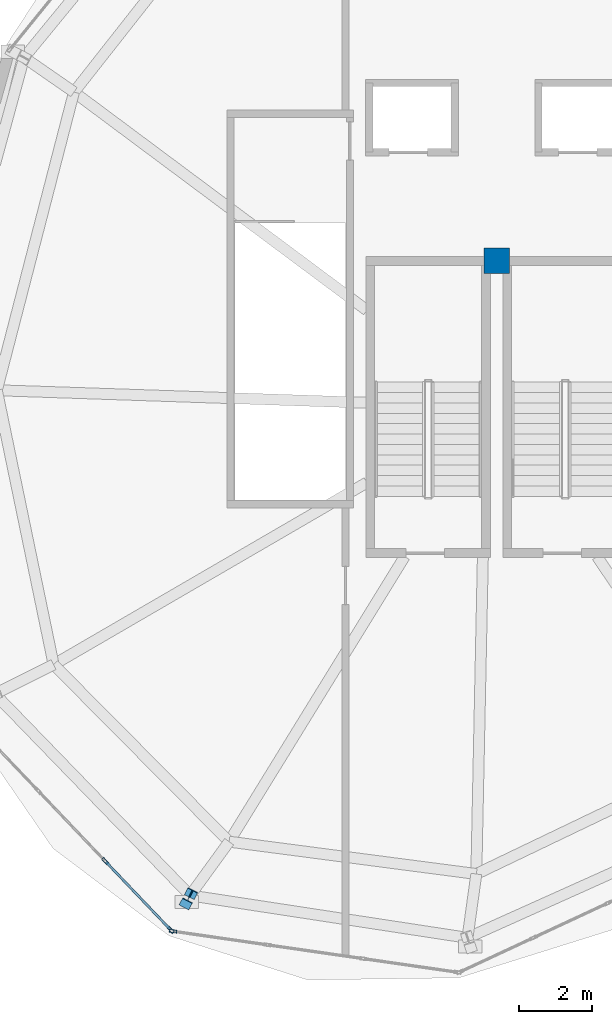
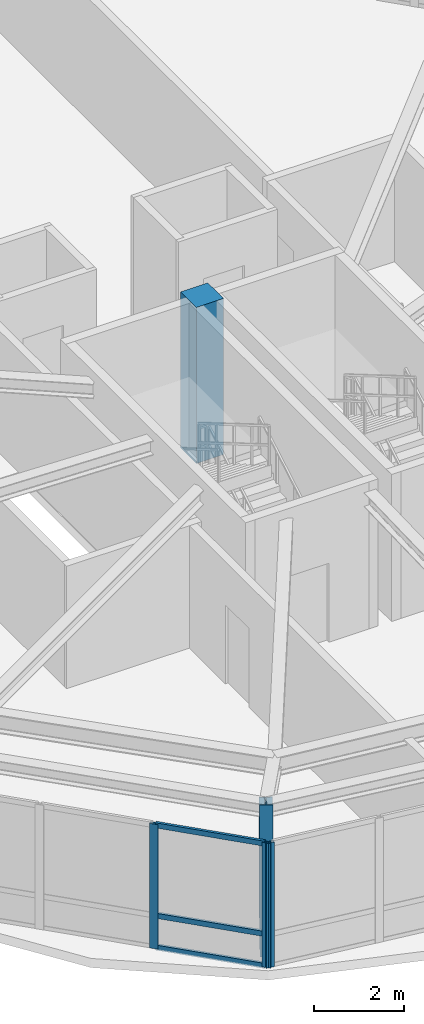
# One storey, part 1 of 14: 7 members, 1 column, 2 elements without a shape of their own.
"""IFC4 building model written with IfcOpenShell, lengths in metres."""

from ifc_helpers import new_model, si_unit, direction, frame, origin, origin_2d, place, context, subcontext, project, spatial, rectangle, hollow_rectangle, i_section, extrude, material, layer, layer_set, material_profile, profile_set, type_object, element, aggregate, save


model = new_model("IFC4")

# Units and contexts
model_context = context("Model", 3, precision=1e-05, world=origin(), true_north=direction((0.0, 1.0)))
body_context = subcontext(model_context, "Body", "Model", "MODEL_VIEW")
ifc_project = project(units=[si_unit("LENGTHUNIT", "METRE"), si_unit("AREAUNIT", "SQUARE_METRE"), si_unit("VOLUMEUNIT", "CUBIC_METRE"), si_unit("PLANEANGLEUNIT", "RADIAN"), si_unit("MASSUNIT", "GRAM", prefix="KILO"), si_unit("THERMODYNAMICTEMPERATUREUNIT", "KELVIN"), si_unit("POWERUNIT", "WATT")], contexts=[model_context])

# Site, building, storey
site_placement = place(None, origin())
site = spatial("IfcSite", under=ifc_project, at=site_placement, CompositionType="ELEMENT")
building_placement = place(site_placement, origin())
building = spatial("IfcBuilding", under=site, at=building_placement, Name="Ocrelia Relay Tower", CompositionType="ELEMENT")
storey_placement = place(building_placement, frame((0.0, 0.0, 288.0)))
storey = spatial("IfcBuildingStorey", under=building, at=storey_placement, Name="L72", CompositionType="ELEMENT", Elevation=288.0)

# Column
ifc_material_1 = material(Name="Concrete C50/60", Category="concrete")
ifc_material_profile_1 = material_profile(ifc_material_1, rectangle(XDim=0.699951171875, YDim=0.699951171875, at=origin_2d()), Name="RC-COL-700x700")
ifc_profile_set_1 = profile_set([ifc_material_profile_1], Name="Concrete C50/60")
column_type = type_object("IfcColumnType", Name="COL-CC-700", PredefinedType="COLUMN", material=ifc_profile_set_1)
column_placement = place(storey_placement, frame((34.0, 27.1201171875, -0.25), z_axis=(0.0, 0.0, 1.0), x_axis=(1.0, 0.0, 0.0)))
element("IfcColumn", 1, at=column_placement, inside=storey, type_object=column_type, Name="L72 Crown Central Spine Column", PredefinedType="COLUMN", context=body_context, shape_type="SweptSolid", body=[
    extrude(rectangle(XDim=0.699951171875, YDim=0.699951171875, at=origin_2d()), origin(), (0.0, 0.0, 1.0), 4.25),
])

# Curtain wall, members
ifc_material_2 = material(Name="Aluminium and solar-control low-E glass", Category="aluminium")
ifc_layer = layer(ifc_material_2, 0.179931640625, Name="Aluminium and solar-control low-E glass")
ifc_layer_set = layer_set([ifc_layer], Name="Aluminium and solar-control low-E glass")
curtain_wall_type = type_object("IfcCurtainWallType", Name="CW-SYS-CROWN-PT", PredefinedType="NOTDEFINED", material=ifc_layer_set)
curtain_wall_1_placement = place(storey_placement, origin())
curtain_wall_1 = element("IfcCurtainWall", 2, at=curtain_wall_1_placement, inside=storey, type_object=curtain_wall_type, Name="L72 Faceted Glass-Point Crown Curtain Wall 06", PredefinedType="NOTDEFINED")
ifc_material_3 = material(Name="Anodised bronze aluminium", Category="aluminium")
ifc_material_profile_2 = material_profile(ifc_material_3, hollow_rectangle(XDim=0.074951171875, YDim=0.199951171875, WallThickness=0.006103515625, at=origin_2d()), Name="CW-MUL-200x75")
ifc_profile_set_2 = profile_set([ifc_material_profile_2], Name="Anodised bronze aluminium")
member_type_1 = type_object("IfcMemberType", Name="CW-SYS-CROWN-PT-MUL", PredefinedType="MULLION", material=ifc_profile_set_2)
member_1_placement = place(storey_placement, frame((23.248779296875, 10.638671875, 0.0), z_axis=(0.0, 0.0, 1.0), x_axis=(0.724174661625, 0.689616603237, 0.0)))
member_1 = element("IfcMember", 3, at=member_1_placement, type_object=member_type_1, Name="CW-CR mullion 3", PredefinedType="MULLION", context=body_context, shape_type="SweptSolid", body=[
    extrude(hollow_rectangle(XDim=0.074951171875, YDim=0.199951171875, WallThickness=0.006103515625, at=origin_2d()), origin(), (0.0, 0.0, 1.0), 3.389892578125),
])
member_2_placement = place(storey_placement, frame((25.053466796875, 8.74365234375, 0.0), z_axis=(0.0, 0.0, 1.0), x_axis=(0.724174661625, 0.689616603237, 0.0)))
member_2 = element("IfcMember", 4, at=member_2_placement, type_object=member_type_1, Name="CW-CR mullion 4", PredefinedType="MULLION", context=body_context, shape_type="SweptSolid", body=[
    extrude(hollow_rectangle(XDim=0.074951171875, YDim=0.199951171875, WallThickness=0.006103515625, at=origin_2d()), origin(), (0.0, 0.0, 1.0), 3.389892578125),
])

# Curtain wall, member
curtain_wall_2_placement = place(storey_placement, origin())
curtain_wall_2 = element("IfcCurtainWall", 5, at=curtain_wall_2_placement, inside=storey, type_object=curtain_wall_type, Name="L72 Faceted Glass-Point Crown Curtain Wall 07", PredefinedType="NOTDEFINED")
member_3_placement = place(storey_placement, frame((25.116455078125, 8.7109375, 0.0), z_axis=(0.0, 0.0, 1.0), x_axis=(0.142627266665, 0.989776471131, 0.0)))
member_3 = element("IfcMember", 6, at=member_3_placement, type_object=member_type_1, Name="CW-CR mullion 1", PredefinedType="MULLION", context=body_context, shape_type="SweptSolid", body=[
    extrude(hollow_rectangle(XDim=0.074951171875, YDim=0.199951171875, WallThickness=0.006103515625, at=origin_2d()), origin(), (0.0, 0.0, 1.0), 3.389892578125),
])
aggregate(curtain_wall_2, [member_3])

# Member
ifc_material_profile_3 = material_profile(ifc_material_3, hollow_rectangle(XDim=0.06494140625, YDim=0.139892578125, WallThickness=0.0048828125, at=origin_2d()), Name="CW-TRN-140x65")
ifc_profile_set_3 = profile_set([ifc_material_profile_3], Name="Anodised bronze aluminium")
member_type_2 = type_object("IfcMemberType", Name="CW-SYS-CROWN-PT-TRN", PredefinedType="USERDEFINED", material=ifc_profile_set_3)
member_4_placement = place(storey_placement, frame((23.274658203125, 10.611572265625, 0.032470703125), z_axis=(0.689607205217, -0.72418361105, 0.0), x_axis=(0.72418361105, 0.689607205217, 0.0)))
member_4 = element("IfcMember", 7, at=member_4_placement, type_object=member_type_2, Name="CW-CR transom 3.1", ObjectType="TRANSOM", PredefinedType="USERDEFINED", context=body_context, shape_type="SweptSolid", body=[
    extrude(hollow_rectangle(XDim=0.06494140625, YDim=0.139892578125, WallThickness=0.0048828125, at=origin_2d()), origin(), (0.0, 0.0, 1.0), 2.5419921875),
])

member_5_placement = place(storey_placement, frame((23.274658203125, 10.611572265625, 0.89990234375), z_axis=(0.689607205217, -0.72418361105, 0.0), x_axis=(0.72418361105, 0.689607205217, 0.0)))
member_5 = element("IfcMember", 8, at=member_5_placement, type_object=member_type_2, Name="CW-CR transom 3.2", ObjectType="TRANSOM", PredefinedType="USERDEFINED", context=body_context, shape_type="SweptSolid", body=[
    extrude(hollow_rectangle(XDim=0.06494140625, YDim=0.139892578125, WallThickness=0.0048828125, at=origin_2d()), origin(), (0.0, 0.0, 1.0), 2.5419921875),
])

member_6_placement = place(storey_placement, frame((23.274658203125, 10.611572265625, 3.357421875), z_axis=(0.689607205217, -0.72418361105, 0.0), x_axis=(0.72418361105, 0.689607205217, 0.0)))
member_6 = element("IfcMember", 9, at=member_6_placement, type_object=member_type_2, Name="CW-CR transom 3.3", ObjectType="TRANSOM", PredefinedType="USERDEFINED", context=body_context, shape_type="SweptSolid", body=[
    extrude(hollow_rectangle(XDim=0.06494140625, YDim=0.139892578125, WallThickness=0.0048828125, at=origin_2d()), origin(), (0.0, 0.0, 1.0), 2.5419921875),
])

aggregate(curtain_wall_1, [member_1, member_2, member_4, member_5, member_6])

ifc_material_4 = material(Name="Steel S355", Category="steel")
ifc_material_profile_4 = material_profile(ifc_material_4, i_section(OverallWidth=0.300048828125, OverallDepth=0.340087890625, WebThickness=0.011962890625, FlangeThickness=0.021484375, FilletRadius=0.027099609375, at=origin_2d()), Name="HEB 340")
ifc_profile_set_4 = profile_set([ifc_material_profile_4], Name="Steel S355")
member_type_3 = type_object("IfcMemberType", Name="MB-CROWN-RIB", PredefinedType="STRUT", material=ifc_profile_set_4)
member_7_placement = place(storey_placement, frame((25.4921875, 9.51611328125, -0.25), z_axis=(0.022859647269, 0.044378195231, 0.998753228938), x_axis=(-0.888989620803, 0.45792734588, 0.0)))
element("IfcMember", 10, at=member_7_placement, inside=storey, type_object=member_type_3, Name="L72 Crown Faceted Structural Strut Rib CR07", PredefinedType="STRUT", context=body_context, shape_type="SweptSolid", body=[
    extrude(i_section(OverallWidth=0.300048828125, OverallDepth=0.340087890625, WebThickness=0.011962890625, FlangeThickness=0.021484375, FilletRadius=0.027099609375, at=origin_2d()), origin(), (0.0, 0.0, 1.0), 4.0048828125),
])

save(model, "model.ifc")
